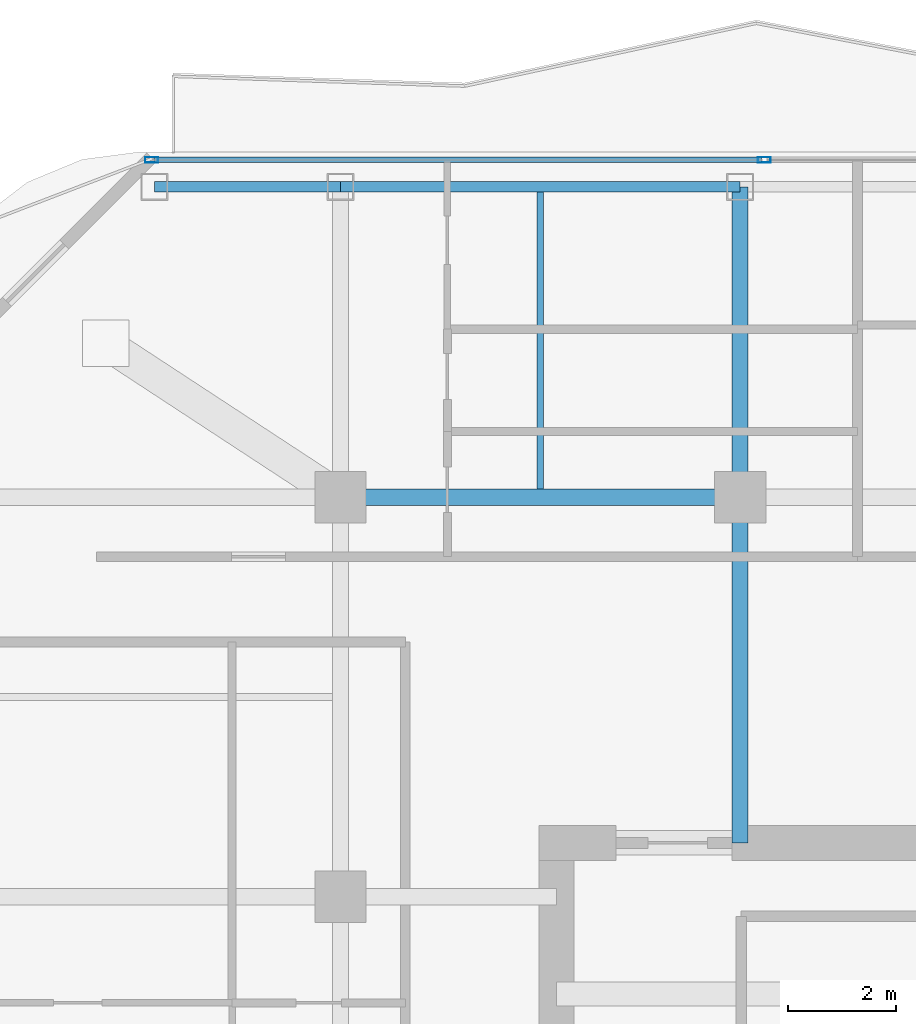
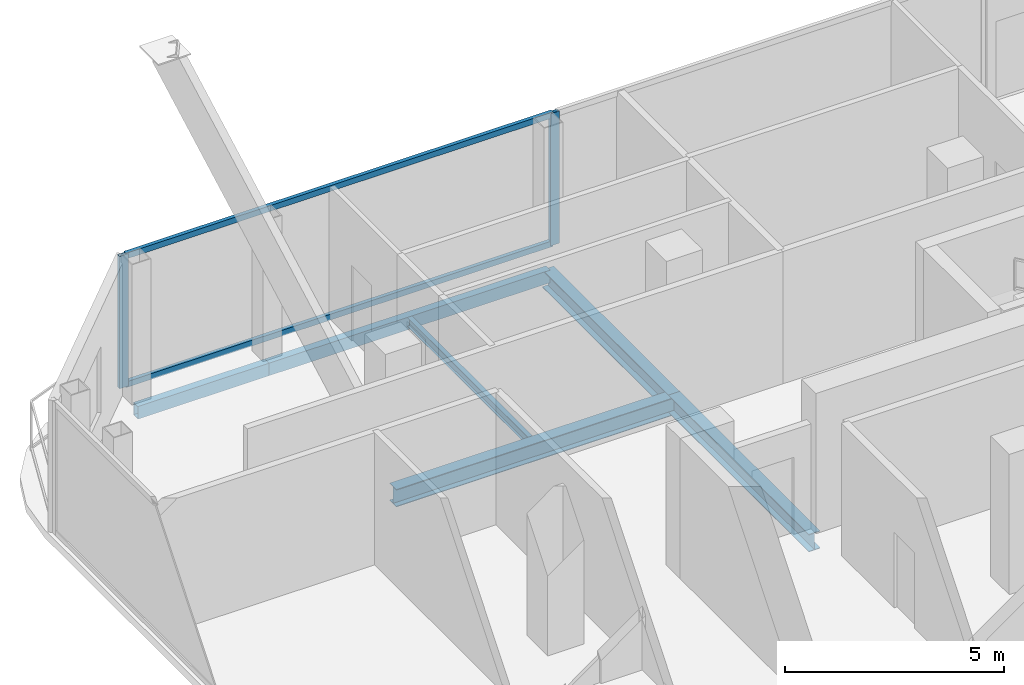
# One storey, part 12 of 24: 6 beams, 4 members, 1 element without a shape of its own.
"""IFC4 building model written with IfcOpenShell, lengths in metres."""

from ifc_helpers import new_model, si_unit, direction, frame, origin, origin_2d, place, context, subcontext, project, spatial, hollow_rectangle, i_section, extrude, material, layer, layer_set, material_profile, profile_set, type_object, element, aggregate, save


model = new_model("IFC4")

# Units and contexts
model_context = context("Model", 3, precision=1e-05, world=origin(), true_north=direction((0.0, 1.0)))
body_context = subcontext(model_context, "Body", "Model", "MODEL_VIEW")
ifc_project = project(units=[si_unit("LENGTHUNIT", "METRE"), si_unit("AREAUNIT", "SQUARE_METRE"), si_unit("VOLUMEUNIT", "CUBIC_METRE"), si_unit("PLANEANGLEUNIT", "RADIAN"), si_unit("MASSUNIT", "GRAM", prefix="KILO")], contexts=[model_context])

# Site, building, storey
site_placement = place(None, origin())
site = spatial("IfcSite", under=ifc_project, at=site_placement, CompositionType="ELEMENT")
building_placement = place(site_placement, origin())
building = spatial("IfcBuilding", under=site, at=building_placement, Name="Khorvyn Point Tower", CompositionType="ELEMENT")
storey_placement = place(building_placement, frame((0.0, 0.0, 301.5)))
storey = spatial("IfcBuildingStorey", under=building, at=storey_placement, Name="L74", CompositionType="ELEMENT", Elevation=301.5)

# Curtain wall, members
ifc_material_1 = material(Name="Anodised aluminium 6063-T6 and laminated Low-E glass", Category="aluminium")
ifc_layer = layer(ifc_material_1, 0.18994140625)
ifc_layer_set = layer_set([ifc_layer], Name="Stick-Built High-Wind Curtain Wall CW-SYS-04")
curtain_wall_type = type_object("IfcCurtainWallType", Name="Stick-Built High-Wind Curtain Wall CW-SYS-04", PredefinedType="NOTDEFINED", material=ifc_layer_set)
curtain_wall_placement = place(storey_placement, origin())
curtain_wall = element("IfcCurtainWall", 1, at=curtain_wall_placement, inside=storey, type_object=curtain_wall_type, Name="Curtain Wall", PredefinedType="NOTDEFINED")
ifc_material_2 = material(Name="Anodised aluminium 6063-T6", Category="aluminium")
ifc_material_profile_1 = material_profile(ifc_material_2, hollow_rectangle(XDim=0.10009765625, YDim=0.239990234375, WallThickness=0.0048828125, at=origin_2d()))
ifc_profile_set_1 = profile_set([ifc_material_profile_1], Name="Anodised aluminium 6063-T6 ALU-MUL-100x240")
member_type_1 = type_object("IfcMemberType", Name="Anodised Aluminium 6063-T6 Mullion ALU-MUL-100x240", PredefinedType="MULLION", material=ifc_profile_set_1)
member_1_placement = place(storey_placement, frame((-18.300048828125, 21.050048828125, 0.0), z_axis=(0.0, 0.0, 1.0), x_axis=(0.0, 1.0, 0.0)))
member_1 = element("IfcMember", 2, at=member_1_placement, type_object=member_type_1, Name="Transom", PredefinedType="MULLION", context=body_context, shape_type="SweptSolid", body=[
    extrude(hollow_rectangle(XDim=0.10009765625, YDim=0.239990234375, WallThickness=0.0048828125, at=origin_2d()), origin(), (0.0, 0.0, 1.0), 3.679931640625),
])
member_2_placement = place(storey_placement, frame((-6.952880859375, 21.050048828125, 0.0), z_axis=(0.0, 0.0, 1.0), x_axis=(0.0, 1.0, 0.0)))
member_2 = element("IfcMember", 3, at=member_2_placement, type_object=member_type_1, Name="Transom", PredefinedType="MULLION", context=body_context, shape_type="SweptSolid", body=[
    extrude(hollow_rectangle(XDim=0.10009765625, YDim=0.239990234375, WallThickness=0.0048828125, at=origin_2d()), origin(), (0.0, 0.0, 1.0), 3.679931640625),
])
ifc_material_profile_2 = material_profile(ifc_material_2, hollow_rectangle(XDim=0.10009765625, YDim=0.159912109375, WallThickness=0.00439453125, at=origin_2d()))
ifc_profile_set_2 = profile_set([ifc_material_profile_2], Name="Anodised aluminium 6063-T6 ALU-TRN-100x160")
member_type_2 = type_object("IfcMemberType", Name="Anodised Aluminium 6063-T6 Transom ALU-TRN-100x160", PredefinedType="USERDEFINED", material=ifc_profile_set_2)
member_3_placement = place(storey_placement, frame((-18.25, 21.050048828125, 0.050048828125), z_axis=(1.0, 0.0, 0.0), x_axis=(0.0, 1.0, 0.0)))
member_3 = element("IfcMember", 4, at=member_3_placement, type_object=member_type_2, Name="Transom", ObjectType="TRANSOM", PredefinedType="USERDEFINED", context=body_context, shape_type="SweptSolid", body=[
    extrude(hollow_rectangle(XDim=0.10009765625, YDim=0.159912109375, WallThickness=0.00439453125, at=origin_2d()), origin(), (0.0, 0.0, 1.0), 11.2470703125),
])
member_4_placement = place(storey_placement, frame((-18.25, 21.050048828125, 3.6298828125), z_axis=(1.0, 0.0, 0.0), x_axis=(0.0, 1.0, 0.0)))
member_4 = element("IfcMember", 5, at=member_4_placement, type_object=member_type_2, Name="Transom", ObjectType="TRANSOM", PredefinedType="USERDEFINED", context=body_context, shape_type="SweptSolid", body=[
    extrude(hollow_rectangle(XDim=0.10009765625, YDim=0.159912109375, WallThickness=0.00439453125, at=origin_2d()), origin(), (0.0, 0.0, 1.0), 11.2470703125),
])
aggregate(curtain_wall, [member_1, member_2, member_3, member_4])

# Beams
ifc_material_3 = material(Name="Steel S355", Category="steel")
ifc_material_profile_3 = material_profile(ifc_material_3, i_section(OverallWidth=0.125, OverallDepth=0.25, WebThickness=0.006103515625, FlangeThickness=0.009033203125, at=origin_2d()))
ifc_profile_set_3 = profile_set([ifc_material_profile_3], Name="Steel S355 H250x125x6x9")
beam_type_1 = type_object("IfcBeamType", Name="Steel S355 Joist H250x125x6x9", PredefinedType="JOIST", material=ifc_profile_set_3)
beam_1_placement = place(storey_placement, frame((-11.10009765625, 14.949951171875, -0.344970703125), z_axis=(0.0, 1.0, 0.0), x_axis=(-1.0, 0.0, 0.0)))
element("IfcBeam", 6, at=beam_1_placement, inside=storey, type_object=beam_type_1, Name="Beam", PredefinedType="JOIST", context=body_context, shape_type="SweptSolid", body=[
    extrude(i_section(OverallWidth=0.125, OverallDepth=0.25, WebThickness=0.006103515625, FlangeThickness=0.009033203125, at=origin_2d()), origin(), (0.0, 0.0, 1.0), 5.5),
])
ifc_material_profile_4 = material_profile(ifc_material_3, i_section(OverallWidth=0.300048828125, OverallDepth=0.488037109375, WebThickness=0.010986328125, FlangeThickness=0.01806640625, at=origin_2d()))
ifc_profile_set_4 = profile_set([ifc_material_profile_4], Name="Steel S355 H488x300x11x18")
beam_type_2 = type_object("IfcBeamType", Name="Steel S355 Spandrel H488x300x11x18", PredefinedType="SPANDREL", material=ifc_profile_set_4)
beam_2_placement = place(storey_placement, frame((-14.800048828125, 14.800048828125, -0.464111328125), z_axis=(1.0, 0.0, 0.0), x_axis=(0.0, 1.0, 0.0)))
element("IfcBeam", 7, at=beam_2_placement, inside=storey, type_object=beam_type_2, Name="Beam", PredefinedType="SPANDREL", context=body_context, shape_type="SweptSolid", body=[
    extrude(i_section(OverallWidth=0.300048828125, OverallDepth=0.488037109375, WebThickness=0.010986328125, FlangeThickness=0.01806640625, at=origin_2d()), origin(), (0.0, 0.0, 1.0), 7.400146484375),
])
beam_3_placement = place(storey_placement, frame((-7.39990234375, 8.39990234375, -0.464111328125), z_axis=(0.0, 1.0, 0.0), x_axis=(-1.0, 0.0, 0.0)))
element("IfcBeam", 8, at=beam_3_placement, inside=storey, type_object=beam_type_2, Name="Beam", PredefinedType="SPANDREL", context=body_context, shape_type="SweptSolid", body=[
    extrude(i_section(OverallWidth=0.300048828125, OverallDepth=0.488037109375, WebThickness=0.010986328125, FlangeThickness=0.01806640625, at=origin_2d()), origin(), (0.0, 0.0, 1.0), 6.400146484375),
])
beam_4_placement = place(storey_placement, frame((-7.39990234375, 14.800048828125, -0.464111328125), z_axis=(0.0, 1.0, 0.0), x_axis=(-1.0, 0.0, 0.0)))
element("IfcBeam", 9, at=beam_4_placement, inside=storey, type_object=beam_type_2, Name="Beam", PredefinedType="SPANDREL", context=body_context, shape_type="SweptSolid", body=[
    extrude(i_section(OverallWidth=0.300048828125, OverallDepth=0.488037109375, WebThickness=0.010986328125, FlangeThickness=0.01806640625, at=origin_2d()), origin(), (0.0, 0.0, 1.0), 5.75),
])
ifc_material_profile_5 = material_profile(ifc_material_3, hollow_rectangle(XDim=0.199951171875, YDim=0.35009765625, WallThickness=0.013916015625, at=origin_2d()))
ifc_profile_set_5 = profile_set([ifc_material_profile_5], Name="Steel S355 RHS350x200x14")
beam_type_3 = type_object("IfcBeamType", Name="Steel S355 Spandrel RHS350x200x14", PredefinedType="SPANDREL", material=ifc_profile_set_5)
beam_5_placement = place(storey_placement, frame((-18.25, 20.550048828125, -0.39501953125), z_axis=(1.0, 0.0, 0.0), x_axis=(0.0, 1.0, 0.0)))
element("IfcBeam", 10, at=beam_5_placement, inside=storey, type_object=beam_type_3, Name="Beam", PredefinedType="SPANDREL", context=body_context, shape_type="SweptSolid", body=[
    extrude(hollow_rectangle(XDim=0.199951171875, YDim=0.35009765625, WallThickness=0.013916015625, at=origin_2d()), origin(), (0.0, 0.0, 1.0), 3.449951171875),
])
beam_6_placement = place(storey_placement, frame((-14.800048828125, 20.550048828125, -0.39501953125), z_axis=(1.0, 0.0, 0.0), x_axis=(0.0, 1.0, 0.0)))
element("IfcBeam", 11, at=beam_6_placement, inside=storey, type_object=beam_type_3, Name="Beam", PredefinedType="SPANDREL", context=body_context, shape_type="SweptSolid", body=[
    extrude(hollow_rectangle(XDim=0.199951171875, YDim=0.35009765625, WallThickness=0.013916015625, at=origin_2d()), origin(), (0.0, 0.0, 1.0), 7.400146484375),
])

save(model, "model.ifc")
